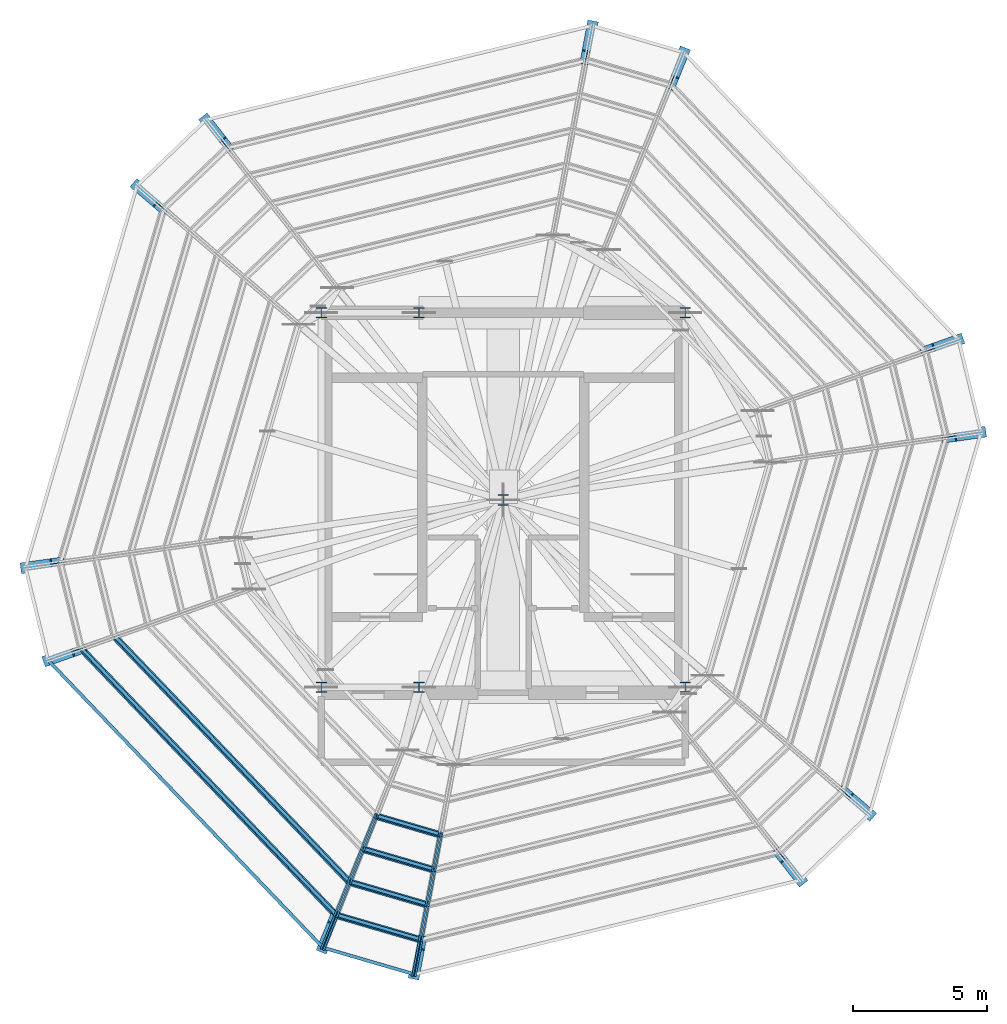
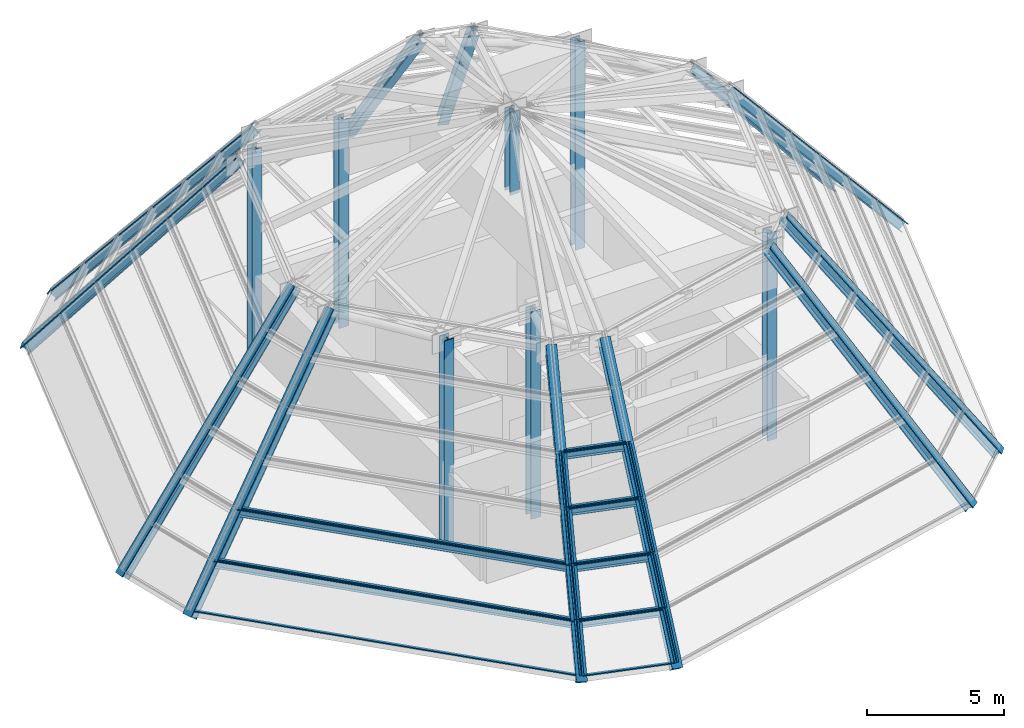
# One storey, part 1 of 13: 30 members, 19 columns, 6 beams, 13 elements without a shape of their own.
"""IFC4 building model written with IfcOpenShell, lengths in metres."""

from ifc_helpers import new_model, si_unit, direction, frame, origin, origin_2d, place, context, subcontext, project, spatial, hollow_rectangle, i_section, extrude, source, transform, mapped, material, layer, layer_set, material_profile, profile_set, type_object, element, aggregate, save


model = new_model("IFC4")

# Units and contexts
model_context = context("Model", 3, precision=1e-05, world=origin(), true_north=direction((0.0, 1.0)))
body_context = subcontext(model_context, "Body", "Model", "MODEL_VIEW")
ifc_project = project(units=[si_unit("LENGTHUNIT", "METRE"), si_unit("AREAUNIT", "SQUARE_METRE"), si_unit("VOLUMEUNIT", "CUBIC_METRE"), si_unit("PLANEANGLEUNIT", "RADIAN"), si_unit("MASSUNIT", "GRAM", prefix="KILO")], contexts=[model_context])

# Site, building, storey
site_placement = place(None, origin())
site = spatial("IfcSite", under=ifc_project, at=site_placement, CompositionType="ELEMENT")
building_placement = place(site_placement, origin())
building = spatial("IfcBuilding", under=site, at=building_placement, Name="Veraguas Prism Commons", CompositionType="ELEMENT")
storey_placement = place(building_placement, frame((0.0, 0.0, 268.89990234375)))
storey = spatial("IfcBuildingStorey", under=building, at=storey_placement, Name="RF", CompositionType="ELEMENT", Elevation=268.89990234375)

# Columns
ifc_material_1 = material(Name="Steel ASTM A992 Grade 50", Category="steel")
ifc_material_profile_1 = material_profile(ifc_material_1, i_section(OverallWidth=0.404052734375, OverallDepth=0.406982421875, WebThickness=0.025146484375, FlangeThickness=0.040283203125, at=origin_2d()), Name="W360X347")
ifc_profile_set_1 = profile_set([ifc_material_profile_1], Name="Steel ASTM A992 Grade 50")
column_type = type_object("IfcColumnType", Name="Column Crown Portal W360x347", PredefinedType="COLUMN", material=ifc_profile_set_1)
for number, where, z_axis, x_axis, name in (
    (1, (17.199951171875, 17.0, 0.0), (0.0, 0.0, 1.0), (1.0, 0.0, 0.0), "Crown Core Column RF-CR1"),
    (2, (20.85009765625, 17.0, 0.0), (0.0, 0.0, 1.0), (1.0, 0.0, 0.0), "Crown Core Column RF-CR2"),
    (3, (30.800048828125, 17.0, 0.0), (0.0, 0.0, 1.0), (1.0, 0.0, 0.0), "Crown Core Column RF-CR3"),
    (4, (17.199951171875, 31.0, 0.0), (0.0, 0.0, 1.0), (1.0, 0.0, 0.0), "Crown Core Column RF-CR4"),
    (5, (20.85009765625, 31.0, 0.0), (0.0, 0.0, 1.0), (1.0, 0.0, 0.0), "Crown Core Column RF-CR5"),
    (6, (30.800048828125, 31.0, 0.0), (0.0, 0.0, 1.0), (1.0, 0.0, 0.0), "Crown Core Column RF-CR6"),
):
    element("IfcColumn", number, at=place(storey_placement, frame(where, z_axis=z_axis, x_axis=x_axis)), inside=storey, type_object=column_type, Name=name, PredefinedType="COLUMN", context=body_context, shape_type="SweptSolid", body=[
        extrude(i_section(OverallWidth=0.404052734375, OverallDepth=0.406982421875, WebThickness=0.025146484375, FlangeThickness=0.040283203125, at=origin_2d()), origin(), (0.0, 0.0, 1.0), 9.22021484375),
    ])
column_1_placement = place(storey_placement, frame((24.0, 24.0, 9.070068359375), z_axis=(0.0, 0.0, 1.0), x_axis=(1.0, 0.0, 0.0)))
element("IfcColumn", 7, at=column_1_placement, inside=storey, type_object=column_type, Name="Crown Apex King Post Column", PredefinedType="COLUMN", context=body_context, shape_type="SweptSolid", body=[
    extrude(i_section(OverallWidth=0.404052734375, OverallDepth=0.406982421875, WebThickness=0.025146484375, FlangeThickness=0.040283203125, at=origin_2d()), origin(), (0.0, 0.0, 1.0), 3.679931640625),
])
for number, where, z_axis, x_axis, name in (
    (8, (41.88134765625, 26.531982421875, -0.260009765625), (-0.637822033043, -0.090312653145, 0.764870367348), (0.140196932882, -0.990123638749, 0.0), "Crown Raking Portal Column RF-RB01"),
    (9, (41.036376953125, 29.992919921875, -0.260009765625), (-0.607685137315, -0.213756413411, 0.764870557423), (0.331825087621, -0.943340930537, 0.0), "Crown Raking Portal Column RF-RB02"),
    (10, (30.747802734375, 40.751708984375, -0.260009765625), (-0.240684371738, -0.597525199826, 0.764875590389), (0.927577741303, -0.373630210021, 0.0), "Crown Raking Portal Column RF-RB03"),
    (11, (27.328125, 41.750244140625, -0.260009765625), (-0.118717575709, -0.633140706157, 0.764878410876), (0.982871148418, -0.184294073718, 0.0), "Crown Raking Portal Column RF-RB04"),
):
    element("IfcColumn", number, at=place(storey_placement, frame(where, z_axis=z_axis, x_axis=x_axis)), inside=storey, type_object=column_type, Name=name, PredefinedType="COLUMN", context=body_context, shape_type="SweptSolid", body=[
        extrude(i_section(OverallWidth=0.404052734375, OverallDepth=0.406982421875, WebThickness=0.025146484375, FlangeThickness=0.040283203125, at=origin_2d()), origin(), (0.0, 0.0, 1.0), 12.39453125),
    ])
column_2_placement = place(storey_placement, frame((12.86669921875, 38.219482421875, -0.260009765625), z_axis=(0.397125344176, -0.507196095788, 0.764881416581), x_axis=(0.787362376475, 0.616490460682, 0.0)))
element("IfcColumn", 12, at=column_2_placement, inside=storey, type_object=column_type, Name="Crown Raking Portal Column RF-RB05", PredefinedType="COLUMN", context=body_context, shape_type="SweptSolid", body=[
    extrude(i_section(OverallWidth=0.404052734375, OverallDepth=0.406982421875, WebThickness=0.025146484375, FlangeThickness=0.040283203125, at=origin_2d()), origin(), (0.0, 0.0, 1.0), 12.394287109375),
])
for number, where, z_axis, x_axis, name in (
    (13, (10.2919921875, 35.757568359375, -0.260009765625), (0.488950933915, -0.419399076861, 0.764873452639), (0.651058257699, 0.759027763051, 0.0), "Crown Raking Portal Column RF-RB06"),
    (14, (6.11865234375, 21.468017578125, -0.260009765625), (0.637822033043, 0.090312653145, 0.764870367348), (-0.140196932882, 0.990123638749, 0.0), "Crown Raking Portal Column RF-RB07"),
    (15, (6.963623046875, 18.007080078125, -0.260009765625), (0.607685137315, 0.213756413411, 0.764870557423), (-0.331825087621, 0.943340930537, 0.0), "Crown Raking Portal Column RF-RB08"),
    (16, (17.252197265625, 7.248291015625, -0.260009765625), (0.240684371738, 0.597525199826, 0.764875590389), (-0.927577741303, 0.373630210021, 0.0), "Crown Raking Portal Column RF-RB09"),
    (17, (20.671875, 6.249755859375, -0.260009765625), (0.118717575709, 0.633140706157, 0.764878410876), (-0.982871148418, 0.184294073718, 0.0), "Crown Raking Portal Column RF-RB10"),
):
    element("IfcColumn", number, at=place(storey_placement, frame(where, z_axis=z_axis, x_axis=x_axis)), inside=storey, type_object=column_type, Name=name, PredefinedType="COLUMN", context=body_context, shape_type="SweptSolid", body=[
        extrude(i_section(OverallWidth=0.404052734375, OverallDepth=0.406982421875, WebThickness=0.025146484375, FlangeThickness=0.040283203125, at=origin_2d()), origin(), (0.0, 0.0, 1.0), 12.39453125),
    ])
column_3_placement = place(storey_placement, frame((35.13330078125, 9.780517578125, -0.260009765625), z_axis=(-0.397125344176, 0.507196095788, 0.764881416581), x_axis=(-0.787362376475, -0.616490460682, 0.0)))
element("IfcColumn", 18, at=column_3_placement, inside=storey, type_object=column_type, Name="Crown Raking Portal Column RF-RB11", PredefinedType="COLUMN", context=body_context, shape_type="SweptSolid", body=[
    extrude(i_section(OverallWidth=0.404052734375, OverallDepth=0.406982421875, WebThickness=0.025146484375, FlangeThickness=0.040283203125, at=origin_2d()), origin(), (0.0, 0.0, 1.0), 12.394287109375),
])
column_4_placement = place(storey_placement, frame((37.7080078125, 12.242431640625, -0.260009765625), z_axis=(-0.488950933915, 0.419399076861, 0.764873452639), x_axis=(-0.651058257699, -0.759027763051, 0.0)))
element("IfcColumn", 19, at=column_4_placement, inside=storey, type_object=column_type, Name="Crown Raking Portal Column RF-RB12", PredefinedType="COLUMN", context=body_context, shape_type="SweptSolid", body=[
    extrude(i_section(OverallWidth=0.404052734375, OverallDepth=0.406982421875, WebThickness=0.025146484375, FlangeThickness=0.040283203125, at=origin_2d()), origin(), (0.0, 0.0, 1.0), 12.39453125),
])

# Beams
ifc_material_profile_2 = material_profile(ifc_material_1, i_section(OverallWidth=0.25390625, OverallDepth=0.305908203125, WebThickness=0.0087890625, FlangeThickness=0.0146484375, at=origin_2d()), Name="W310X79")
ifc_profile_set_2 = profile_set([ifc_material_profile_2], Name="Steel ASTM A992 Grade 50")
beam_type = type_object("IfcBeamType", Name="Crown Ring Spandrel W310x79", PredefinedType="SPANDREL", material=ifc_profile_set_2)
beam_1_placement = place(storey_placement, frame((8.218994140625, 18.44873046875, 1.430419921875), z_axis=(0.691137823002, -0.722722982626, 0.0), x_axis=(0.722722982626, 0.691137823002, 0.0)))
element("IfcBeam", 20, at=beam_1_placement, inside=storey, type_object=beam_type, Name="Crown Facet Ring Beam T1-V08", PredefinedType="SPANDREL", context=body_context, shape_type="SweptSolid", body=[
    extrude(i_section(OverallWidth=0.25390625, OverallDepth=0.305908203125, WebThickness=0.0087890625, FlangeThickness=0.0146484375, at=origin_2d()), origin(), (0.0, 0.0, 1.0), 13.78955078125),
])
beam_2_placement = place(storey_placement, frame((9.474365234375, 18.890380859375, 3.013916015625), z_axis=(0.69112874426, -0.722731664491, 0.0), x_axis=(0.722731664491, 0.69112874426, 0.0)))
element("IfcBeam", 21, at=beam_2_placement, inside=storey, type_object=beam_type, Name="Crown Facet Ring Beam T2-V08", PredefinedType="SPANDREL", context=body_context, shape_type="SweptSolid", body=[
    extrude(i_section(OverallWidth=0.25390625, OverallDepth=0.305908203125, WebThickness=0.0087890625, FlangeThickness=0.0146484375, at=origin_2d()), origin(), (0.0, 0.0, 1.0), 12.692626953125),
])
beam_3_placement = place(storey_placement, frame((17.74951171875, 8.482666015625, 1.430419921875), z_axis=(0.959902160771, -0.280335231013, 0.0), x_axis=(0.280335231013, 0.959902160771, 0.0)))
element("IfcBeam", 22, at=beam_3_placement, inside=storey, type_object=beam_type, Name="Crown Facet Ring Beam T1-V09", PredefinedType="SPANDREL", context=body_context, shape_type="SweptSolid", body=[
    extrude(i_section(OverallWidth=0.25390625, OverallDepth=0.305908203125, WebThickness=0.0087890625, FlangeThickness=0.0146484375, at=origin_2d()), origin(), (0.0, 0.0, 1.0), 3.2998046875),
])
beam_4_placement = place(storey_placement, frame((18.24658203125, 9.717041015625, 3.013916015625), z_axis=(0.95990001861, -0.280342565931, 0.0), x_axis=(0.280342565931, 0.95990001861, 0.0)))
element("IfcBeam", 23, at=beam_4_placement, inside=storey, type_object=beam_type, Name="Crown Facet Ring Beam T2-V09", PredefinedType="SPANDREL", context=body_context, shape_type="SweptSolid", body=[
    extrude(i_section(OverallWidth=0.25390625, OverallDepth=0.305908203125, WebThickness=0.0087890625, FlangeThickness=0.0146484375, at=origin_2d()), origin(), (0.0, 0.0, 1.0), 3.03759765625),
])
beam_5_placement = place(storey_placement, frame((18.743896484375, 10.951416015625, 4.59716796875), z_axis=(0.959883640209, -0.280398639903, 0.0), x_axis=(0.280398639903, 0.959883640209, 0.0)))
element("IfcBeam", 24, at=beam_5_placement, inside=storey, type_object=beam_type, Name="Crown Facet Ring Beam T3-V09", PredefinedType="SPANDREL", context=body_context, shape_type="SweptSolid", body=[
    extrude(i_section(OverallWidth=0.25390625, OverallDepth=0.305908203125, WebThickness=0.0087890625, FlangeThickness=0.0146484375, at=origin_2d()), origin(), (0.0, 0.0, 1.0), 2.77490234375),
])
beam_6_placement = place(storey_placement, frame((19.240966796875, 12.185791015625, 6.180419921875), z_axis=(0.95987911689, -0.280414124035, 0.0), x_axis=(0.280414124035, 0.95987911689, 0.0)))
element("IfcBeam", 25, at=beam_6_placement, inside=storey, type_object=beam_type, Name="Crown Facet Ring Beam T4-V09", PredefinedType="SPANDREL", context=body_context, shape_type="SweptSolid", body=[
    extrude(i_section(OverallWidth=0.25390625, OverallDepth=0.305908203125, WebThickness=0.0087890625, FlangeThickness=0.0146484375, at=origin_2d()), origin(), (0.0, 0.0, 1.0), 2.5126953125),
])

# Curtain wall, member
ifc_material_2 = material(Name="Anodised aluminium EN AW-6063 T6", Category="aluminium")
ifc_layer = layer(ifc_material_2, 0.199951171875, Name="Faceted Glass Point Crown Curtain Wall", Category="aluminium")
ifc_layer_set = layer_set([ifc_layer], Name="Anodised aluminium EN AW-6063 T6")
curtain_wall_type = type_object("IfcCurtainWallType", Name="Faceted Glass Point Crown Curtain Wall", PredefinedType="NOTDEFINED", material=ifc_layer_set)
curtain_wall_1_placement = place(storey_placement, origin())
curtain_wall_1 = element("IfcCurtainWall", 26, at=curtain_wall_1_placement, inside=storey, type_object=curtain_wall_type, Name="Crown Glass-Point Facet T1-F08", PredefinedType="NOTDEFINED")
ifc_material_profile_3 = material_profile(ifc_material_2, hollow_rectangle(XDim=0.06494140625, YDim=0.199951171875, WallThickness=0.00390625, at=origin_2d()), Name="AL65X200X4")
ifc_profile_set_3 = profile_set([ifc_material_profile_3], Name="Anodised aluminium EN AW-6063 T6")
member_type_1 = type_object("IfcMemberType", Name="Curtain Wall Mullion Heavy AL 65x200x4", PredefinedType="MULLION", material=ifc_profile_set_3)
shared_shape_1 = source(origin(), body_context, "Body", "SweptSolid", [
    extrude(hollow_rectangle(XDim=0.06494140625, YDim=0.199951171875, WallThickness=0.00390625, at=origin_2d()), origin(), (0.0, 0.0, 1.0), 2.068359375),
])
member_1_placement = place(storey_placement, frame((17.2158203125, 7.286376953125, 0.0), z_axis=(0.240429183387, 0.596764826316, 0.765549181861), x_axis=(-0.927550217009, 0.37369853482, 0.0)))
member_1 = element("IfcMember", 27, at=member_1_placement, type_object=member_type_1, Name="CW-CRN Mullion 2", PredefinedType="MULLION", context=body_context, shape_type="MappedRepresentation", body=[
    mapped(shared_shape_1, transform((0.0, 0.0, 0.0), scale=1.0)),
])

# Curtain wall, members
curtain_wall_2_placement = place(storey_placement, origin())
curtain_wall_2 = element("IfcCurtainWall", 28, at=curtain_wall_2_placement, inside=storey, type_object=curtain_wall_type, Name="Crown Glass-Point Facet T1-F09", PredefinedType="NOTDEFINED")
member_2_placement = place(storey_placement, frame((17.302490234375, 7.233642578125, 0.0), z_axis=(0.240429183387, 0.596764826316, 0.765549181861), x_axis=(-0.927550217009, 0.37369853482, 0.0)))
member_2 = element("IfcMember", 29, at=member_2_placement, type_object=member_type_1, Name="CW-CRN Mullion 1", PredefinedType="MULLION", context=body_context, shape_type="MappedRepresentation", body=[
    mapped(shared_shape_1, transform((0.0, 0.0, 0.0), scale=1.0)),
])
member_3_placement = place(storey_placement, frame((20.621337890625, 6.264404296875, 0.0), z_axis=(0.11862533016, 0.632314322055, 0.765576011359), x_axis=(-0.982853488619, 0.184388231484, 0.0)))
member_3 = element("IfcMember", 30, at=member_3_placement, type_object=member_type_1, Name="CW-CRN Mullion 2", PredefinedType="MULLION", context=body_context, shape_type="MappedRepresentation", body=[
    mapped(shared_shape_1, transform((0.0, 0.0, 0.0), scale=1.0)),
])

# Curtain wall, member
curtain_wall_3_placement = place(storey_placement, origin())
curtain_wall_3 = element("IfcCurtainWall", 31, at=curtain_wall_3_placement, inside=storey, type_object=curtain_wall_type, Name="Crown Glass-Point Facet T1-F10", PredefinedType="NOTDEFINED")
member_4_placement = place(storey_placement, frame((20.72265625, 6.26220703125, 0.0), z_axis=(0.11862533016, 0.632314322055, 0.765576011359), x_axis=(-0.982853488619, 0.184388231484, 0.0)))
member_4 = element("IfcMember", 32, at=member_4_placement, type_object=member_type_1, Name="CW-CRN Mullion 1", PredefinedType="MULLION", context=body_context, shape_type="MappedRepresentation", body=[
    mapped(shared_shape_1, transform((0.0, 0.0, 0.0), scale=1.0)),
])
aggregate(curtain_wall_3, [member_4])

curtain_wall_4_placement = place(storey_placement, origin())
curtain_wall_4 = element("IfcCurtainWall", 33, at=curtain_wall_4_placement, inside=storey, type_object=curtain_wall_type, Name="Crown Glass-Point Facet T3-F09", PredefinedType="NOTDEFINED")
member_5_placement = place(storey_placement, frame((21.11181640625, 8.880126953125, 3.166748046875), z_axis=(0.118627194476, 0.632442296518, 0.765470006144), x_axis=(-0.982859724762, 0.184354987567, 0.0)))
member_5 = element("IfcMember", 34, at=member_5_placement, type_object=member_type_1, Name="CW-CRN Mullion 2", PredefinedType="MULLION", context=body_context, shape_type="MappedRepresentation", body=[
    mapped(shared_shape_1, transform((0.0, 0.0, 0.0), scale=1.0)),
])

curtain_wall_5_placement = place(storey_placement, origin())
curtain_wall_5 = element("IfcCurtainWall", 35, at=curtain_wall_5_placement, inside=storey, type_object=curtain_wall_type, Name="Crown Glass-Point Facet T4-F08", PredefinedType="NOTDEFINED")
member_6_placement = place(storey_placement, frame((18.70751953125, 10.9892578125, 4.75), z_axis=(0.240429183387, 0.596764826316, 0.765549181861), x_axis=(-0.927550217009, 0.37369853482, 0.0)))
member_6 = element("IfcMember", 36, at=member_6_placement, type_object=member_type_1, Name="CW-CRN Mullion 2", PredefinedType="MULLION", context=body_context, shape_type="MappedRepresentation", body=[
    mapped(shared_shape_1, transform((0.0, 0.0, 0.0), scale=1.0)),
])
aggregate(curtain_wall_5, [member_6])

# Curtain wall, members
curtain_wall_6_placement = place(storey_placement, origin())
curtain_wall_6 = element("IfcCurtainWall", 37, at=curtain_wall_6_placement, inside=storey, type_object=curtain_wall_type, Name="Crown Glass-Point Facet T4-F09", PredefinedType="NOTDEFINED")
member_7_placement = place(storey_placement, frame((18.794189453125, 10.9365234375, 4.75), z_axis=(0.240429183387, 0.596764826316, 0.765549181861), x_axis=(-0.927550217009, 0.37369853482, 0.0)))
member_7 = element("IfcMember", 38, at=member_7_placement, type_object=member_type_1, Name="CW-CRN Mullion 1", PredefinedType="MULLION", context=body_context, shape_type="MappedRepresentation", body=[
    mapped(shared_shape_1, transform((0.0, 0.0, 0.0), scale=1.0)),
])
member_8_placement = place(storey_placement, frame((21.357177734375, 10.188232421875, 4.75), z_axis=(0.118508953549, 0.632323171476, 0.765586725815), x_axis=(-0.982886723569, 0.184210989446, 0.0)))
member_8 = element("IfcMember", 39, at=member_8_placement, type_object=member_type_1, Name="CW-CRN Mullion 2", PredefinedType="MULLION", context=body_context, shape_type="MappedRepresentation", body=[
    mapped(shared_shape_1, transform((0.0, 0.0, 0.0), scale=1.0)),
])

# Curtain wall, member
curtain_wall_7_placement = place(storey_placement, origin())
curtain_wall_7 = element("IfcCurtainWall", 40, at=curtain_wall_7_placement, inside=storey, type_object=curtain_wall_type, Name="Crown Glass-Point Facet T4-F10", PredefinedType="NOTDEFINED")
member_9_placement = place(storey_placement, frame((21.45849609375, 10.185791015625, 4.75), z_axis=(0.11862533016, 0.632314322055, 0.765576011359), x_axis=(-0.982853488619, 0.184388231484, 0.0)))
member_9 = element("IfcMember", 41, at=member_9_placement, type_object=member_type_1, Name="CW-CRN Mullion 1", PredefinedType="MULLION", context=body_context, shape_type="MappedRepresentation", body=[
    mapped(shared_shape_1, transform((0.0, 0.0, 0.0), scale=1.0)),
])
aggregate(curtain_wall_7, [member_9])

# Member
ifc_material_profile_4 = material_profile(ifc_material_2, hollow_rectangle(XDim=0.050048828125, YDim=0.1201171875, WallThickness=0.0029296875, at=origin_2d()), Name="AL50X120X3")
ifc_profile_set_4 = profile_set([ifc_material_profile_4], Name="Anodised aluminium EN AW-6063 T6")
member_type_2 = type_object("IfcMemberType", Name="Curtain Wall Transom Crown AL 50x120x3", PredefinedType="USERDEFINED", material=ifc_profile_set_4)
shared_shape_2 = source(origin(), body_context, "Body", "SweptSolid", [
    extrude(hollow_rectangle(XDim=0.050048828125, YDim=0.1201171875, WallThickness=0.0029296875, at=origin_2d()), origin(), (0.0, 0.0, 1.0), 14.76416015625),
])
member_10_placement = place(storey_placement, frame((7.019775390625, 17.97607421875, 0.025146484375), z_axis=(0.691138541131, -0.722722295881, 0.0), x_axis=(0.0, 0.0, 1.0)))
member_10 = element("IfcMember", 42, at=member_10_placement, type_object=member_type_2, Name="CW-CRN Transom 1", ObjectType="TRANSOM", PredefinedType="USERDEFINED", context=body_context, shape_type="MappedRepresentation", body=[
    mapped(shared_shape_2, transform((0.0, 0.0, 0.0), scale=1.0)),
])

shared_shape_3 = source(origin(), body_context, "Body", "SweptSolid", [
    extrude(hollow_rectangle(XDim=0.050048828125, YDim=0.1201171875, WallThickness=0.0029296875, at=origin_2d()), origin(), (0.0, 0.0, 1.0), 13.701904296875),
])
member_11_placement = place(storey_placement, frame((8.2353515625, 18.40380859375, 1.558349609375), z_axis=(0.691143753511, -0.722717311252, 0.0), x_axis=(0.0, 0.0, 1.0)))
member_11 = element("IfcMember", 43, at=member_11_placement, type_object=member_type_2, Name="CW-CRN Transom 2", ObjectType="TRANSOM", PredefinedType="USERDEFINED", context=body_context, shape_type="MappedRepresentation", body=[
    mapped(shared_shape_3, transform((0.0, 0.0, 0.0), scale=1.0)),
])

aggregate(curtain_wall_1, [member_1, member_10, member_11])

shared_shape_4 = source(origin(), body_context, "Body", "SweptSolid", [
    extrude(hollow_rectangle(XDim=0.050048828125, YDim=0.1201171875, WallThickness=0.0029296875, at=origin_2d()), origin(), (0.0, 0.0, 1.0), 3.453125),
])
member_12_placement = place(storey_placement, frame((17.310546875, 7.253173828125, 0.025146484375), z_axis=(0.959904130133, -0.280328487588, 0.0), x_axis=(0.0, 0.0, 1.0)))
member_12 = element("IfcMember", 44, at=member_12_placement, type_object=member_type_2, Name="CW-CRN Transom 1", ObjectType="TRANSOM", PredefinedType="USERDEFINED", context=body_context, shape_type="MappedRepresentation", body=[
    mapped(shared_shape_4, transform((0.0, 0.0, 0.0), scale=1.0)),
])

shared_shape_5 = source(origin(), body_context, "Body", "SweptSolid", [
    extrude(hollow_rectangle(XDim=0.050048828125, YDim=0.1201171875, WallThickness=0.0029296875, at=origin_2d()), origin(), (0.0, 0.0, 1.0), 3.198974609375),
])
member_13_placement = place(storey_placement, frame((17.7919921875, 8.448486328125, 1.558349609375), z_axis=(0.959909346754, -0.280310624155, 0.0), x_axis=(0.0, 0.0, 1.0)))
member_13 = element("IfcMember", 45, at=member_13_placement, type_object=member_type_2, Name="CW-CRN Transom 2", ObjectType="TRANSOM", PredefinedType="USERDEFINED", context=body_context, shape_type="MappedRepresentation", body=[
    mapped(shared_shape_5, transform((0.0, 0.0, 0.0), scale=1.0)),
])

aggregate(curtain_wall_2, [member_2, member_3, member_12, member_13])

# Curtain wall, member
curtain_wall_8_placement = place(storey_placement, origin())
curtain_wall_8 = element("IfcCurtainWall", 46, at=curtain_wall_8_placement, inside=storey, type_object=curtain_wall_type, Name="Crown Glass-Point Facet T2-F08", PredefinedType="NOTDEFINED")
shared_shape_6 = source(origin(), body_context, "Body", "SweptSolid", [
    extrude(hollow_rectangle(XDim=0.06494140625, YDim=0.199951171875, WallThickness=0.00390625, at=origin_2d()), origin(), (0.0, 0.0, 1.0), 2.068115234375),
])
member_14_placement = place(storey_placement, frame((17.713134765625, 8.520751953125, 1.58349609375), z_axis=(0.240467849248, 0.596742748134, 0.765554247606), x_axis=(-0.927524590821, 0.373762134817, 0.0)))
member_14 = element("IfcMember", 47, at=member_14_placement, type_object=member_type_1, Name="CW-CRN Mullion 2", PredefinedType="MULLION", context=body_context, shape_type="MappedRepresentation", body=[
    mapped(shared_shape_6, transform((0.0, 0.0, 0.0), scale=1.0)),
])

# Curtain wall, members
curtain_wall_9_placement = place(storey_placement, origin())
curtain_wall_9 = element("IfcCurtainWall", 48, at=curtain_wall_9_placement, inside=storey, type_object=curtain_wall_type, Name="Crown Glass-Point Facet T2-F09", PredefinedType="NOTDEFINED")
member_15_placement = place(storey_placement, frame((17.7998046875, 8.468017578125, 1.58349609375), z_axis=(0.240339687845, 0.596835688479, 0.765522041097), x_axis=(-0.927613797991, 0.373540682894, 0.0)))
member_15 = element("IfcMember", 49, at=member_15_placement, type_object=member_type_1, Name="CW-CRN Mullion 1", PredefinedType="MULLION", context=body_context, shape_type="MappedRepresentation", body=[
    mapped(shared_shape_6, transform((0.0, 0.0, 0.0), scale=1.0)),
])
member_16_placement = place(storey_placement, frame((20.86669921875, 7.572265625, 1.58349609375), z_axis=(0.118519663522, 0.632380316225, 0.765537866477), x_axis=(-0.982886723569, 0.184210989446, 0.0)))
member_16 = element("IfcMember", 50, at=member_16_placement, type_object=member_type_1, Name="CW-CRN Mullion 2", PredefinedType="MULLION", context=body_context, shape_type="MappedRepresentation", body=[
    mapped(shared_shape_6, transform((0.0, 0.0, 0.0), scale=1.0)),
])

# Curtain wall, member
curtain_wall_10_placement = place(storey_placement, origin())
curtain_wall_10 = element("IfcCurtainWall", 51, at=curtain_wall_10_placement, inside=storey, type_object=curtain_wall_type, Name="Crown Glass-Point Facet T2-F10", PredefinedType="NOTDEFINED")
member_17_placement = place(storey_placement, frame((20.968017578125, 7.570068359375, 1.58349609375), z_axis=(0.11863605035, 0.632371464405, 0.765527150768), x_axis=(-0.982853488619, 0.184388231484, 0.0)))
member_17 = element("IfcMember", 52, at=member_17_placement, type_object=member_type_1, Name="CW-CRN Mullion 1", PredefinedType="MULLION", context=body_context, shape_type="MappedRepresentation", body=[
    mapped(shared_shape_6, transform((0.0, 0.0, 0.0), scale=1.0)),
])
aggregate(curtain_wall_10, [member_17])

curtain_wall_11_placement = place(storey_placement, origin())
curtain_wall_11 = element("IfcCurtainWall", 53, at=curtain_wall_11_placement, inside=storey, type_object=curtain_wall_type, Name="Crown Glass-Point Facet T3-F08", PredefinedType="NOTDEFINED")
member_18_placement = place(storey_placement, frame((18.21044921875, 9.7548828125, 3.166748046875), z_axis=(0.240339687845, 0.596835688479, 0.765522041097), x_axis=(-0.927613797991, 0.373540682894, 0.0)))
member_18 = element("IfcMember", 54, at=member_18_placement, type_object=member_type_1, Name="CW-CRN Mullion 2", PredefinedType="MULLION", context=body_context, shape_type="MappedRepresentation", body=[
    mapped(shared_shape_6, transform((0.0, 0.0, 0.0), scale=1.0)),
])

# Member
member_19_placement = place(storey_placement, frame((18.296875, 9.702392578125, 3.166748046875), z_axis=(0.240467849248, 0.596742748134, 0.765554247606), x_axis=(-0.927524590821, 0.373762134817, 0.0)))
member_19 = element("IfcMember", 55, at=member_19_placement, type_object=member_type_1, Name="CW-CRN Mullion 1", PredefinedType="MULLION", context=body_context, shape_type="MappedRepresentation", body=[
    mapped(shared_shape_6, transform((0.0, 0.0, 0.0), scale=1.0)),
])

# Curtain wall, member
curtain_wall_12_placement = place(storey_placement, origin())
curtain_wall_12 = element("IfcCurtainWall", 56, at=curtain_wall_12_placement, inside=storey, type_object=curtain_wall_type, Name="Crown Glass-Point Facet T3-F10", PredefinedType="NOTDEFINED")
member_20_placement = place(storey_placement, frame((21.21337890625, 8.8779296875, 3.166748046875), z_axis=(0.118519663522, 0.632380316225, 0.765537866477), x_axis=(-0.982886723569, 0.184210989446, 0.0)))
member_20 = element("IfcMember", 57, at=member_20_placement, type_object=member_type_1, Name="CW-CRN Mullion 1", PredefinedType="MULLION", context=body_context, shape_type="MappedRepresentation", body=[
    mapped(shared_shape_6, transform((0.0, 0.0, 0.0), scale=1.0)),
])
aggregate(curtain_wall_12, [member_20])

# Member
shared_shape_7 = source(origin(), body_context, "Body", "SweptSolid", [
    extrude(hollow_rectangle(XDim=0.050048828125, YDim=0.1201171875, WallThickness=0.0029296875, at=origin_2d()), origin(), (0.0, 0.0, 1.0), 3.19091796875),
])
member_21_placement = place(storey_placement, frame((17.8076171875, 8.487548828125, 1.6083984375), z_axis=(0.959902252812, -0.280334915854, 0.0), x_axis=(0.0, 0.0, 1.0)))
member_21 = element("IfcMember", 58, at=member_21_placement, type_object=member_type_2, Name="CW-CRN Transom 1", ObjectType="TRANSOM", PredefinedType="USERDEFINED", context=body_context, shape_type="MappedRepresentation", body=[
    mapped(shared_shape_7, transform((0.0, 0.0, 0.0), scale=1.0)),
])

shared_shape_8 = source(origin(), body_context, "Body", "SweptSolid", [
    extrude(hollow_rectangle(XDim=0.050048828125, YDim=0.1201171875, WallThickness=0.0029296875, at=origin_2d()), origin(), (0.0, 0.0, 1.0), 2.9365234375),
])
member_22_placement = place(storey_placement, frame((18.2890625, 9.682861328125, 3.141845703125), z_axis=(0.959901239962, -0.280338383956, 0.0), x_axis=(0.0, 0.0, 1.0)))
member_22 = element("IfcMember", 59, at=member_22_placement, type_object=member_type_2, Name="CW-CRN Transom 2", ObjectType="TRANSOM", PredefinedType="USERDEFINED", context=body_context, shape_type="MappedRepresentation", body=[
    mapped(shared_shape_8, transform((0.0, 0.0, 0.0), scale=1.0)),
])

aggregate(curtain_wall_9, [member_15, member_16, member_21, member_22])

shared_shape_9 = source(origin(), body_context, "Body", "SweptSolid", [
    extrude(hollow_rectangle(XDim=0.050048828125, YDim=0.1201171875, WallThickness=0.0029296875, at=origin_2d()), origin(), (0.0, 0.0, 1.0), 13.6669921875),
])
member_23_placement = place(storey_placement, frame((8.275146484375, 18.417724609375, 1.6083984375), z_axis=(0.691139090215, -0.722721770792, 0.0), x_axis=(0.0, 0.0, 1.0)))
member_23 = element("IfcMember", 60, at=member_23_placement, type_object=member_type_2, Name="CW-CRN Transom 1", ObjectType="TRANSOM", PredefinedType="USERDEFINED", context=body_context, shape_type="MappedRepresentation", body=[
    mapped(shared_shape_9, transform((0.0, 0.0, 0.0), scale=1.0)),
])

shared_shape_10 = source(origin(), body_context, "Body", "SweptSolid", [
    extrude(hollow_rectangle(XDim=0.050048828125, YDim=0.1201171875, WallThickness=0.0029296875, at=origin_2d()), origin(), (0.0, 0.0, 1.0), 12.60498046875),
])
member_24_placement = place(storey_placement, frame((9.49072265625, 18.845458984375, 3.141845703125), z_axis=(0.691135127798, -0.722725560032, 0.0), x_axis=(0.0, 0.0, 1.0)))
member_24 = element("IfcMember", 61, at=member_24_placement, type_object=member_type_2, Name="CW-CRN Transom 2", ObjectType="TRANSOM", PredefinedType="USERDEFINED", context=body_context, shape_type="MappedRepresentation", body=[
    mapped(shared_shape_10, transform((0.0, 0.0, 0.0), scale=1.0)),
])

aggregate(curtain_wall_8, [member_14, member_23, member_24])

shared_shape_11 = source(origin(), body_context, "Body", "SweptSolid", [
    extrude(hollow_rectangle(XDim=0.050048828125, YDim=0.1201171875, WallThickness=0.0029296875, at=origin_2d()), origin(), (0.0, 0.0, 1.0), 2.92822265625),
])
member_25_placement = place(storey_placement, frame((18.304931640625, 9.7216796875, 3.19189453125), z_axis=(0.959909369941, -0.280310544753, 0.0), x_axis=(0.0, 0.0, 1.0)))
member_25 = element("IfcMember", 62, at=member_25_placement, type_object=member_type_2, Name="CW-CRN Transom 1", ObjectType="TRANSOM", PredefinedType="USERDEFINED", context=body_context, shape_type="MappedRepresentation", body=[
    mapped(shared_shape_11, transform((0.0, 0.0, 0.0), scale=1.0)),
])

shared_shape_12 = source(origin(), body_context, "Body", "SweptSolid", [
    extrude(hollow_rectangle(XDim=0.050048828125, YDim=0.1201171875, WallThickness=0.0029296875, at=origin_2d()), origin(), (0.0, 0.0, 1.0), 12.570556640625),
])
member_26_placement = place(storey_placement, frame((9.5302734375, 18.859375, 3.19189453125), z_axis=(0.691140621739, -0.722720306192, 0.0), x_axis=(0.0, 0.0, 1.0)))
member_26 = element("IfcMember", 63, at=member_26_placement, type_object=member_type_2, Name="CW-CRN Transom 1", ObjectType="TRANSOM", PredefinedType="USERDEFINED", context=body_context, shape_type="MappedRepresentation", body=[
    mapped(shared_shape_12, transform((0.0, 0.0, 0.0), scale=1.0)),
])

aggregate(curtain_wall_11, [member_18, member_26])

shared_shape_13 = source(origin(), body_context, "Body", "SweptSolid", [
    extrude(hollow_rectangle(XDim=0.050048828125, YDim=0.1201171875, WallThickness=0.0029296875, at=origin_2d()), origin(), (0.0, 0.0, 1.0), 2.674072265625),
])
member_27_placement = place(storey_placement, frame((18.786376953125, 10.9169921875, 4.72509765625), z_axis=(0.959916108092, -0.280287469264, 0.0), x_axis=(0.0, 0.0, 1.0)))
member_27 = element("IfcMember", 64, at=member_27_placement, type_object=member_type_2, Name="CW-CRN Transom 2", ObjectType="TRANSOM", PredefinedType="USERDEFINED", context=body_context, shape_type="MappedRepresentation", body=[
    mapped(shared_shape_13, transform((0.0, 0.0, 0.0), scale=1.0)),
])

aggregate(curtain_wall_4, [member_19, member_5, member_25, member_27])

shared_shape_14 = source(origin(), body_context, "Body", "SweptSolid", [
    extrude(hollow_rectangle(XDim=0.050048828125, YDim=0.1201171875, WallThickness=0.0029296875, at=origin_2d()), origin(), (0.0, 0.0, 1.0), 2.666015625),
])
member_28_placement = place(storey_placement, frame((18.802001953125, 10.9560546875, 4.775146484375), z_axis=(0.959907638453, -0.28031647408, 0.0), x_axis=(0.0, 0.0, 1.0)))
member_28 = element("IfcMember", 65, at=member_28_placement, type_object=member_type_2, Name="CW-CRN Transom 1", ObjectType="TRANSOM", PredefinedType="USERDEFINED", context=body_context, shape_type="MappedRepresentation", body=[
    mapped(shared_shape_14, transform((0.0, 0.0, 0.0), scale=1.0)),
])

shared_shape_15 = source(origin(), body_context, "Body", "SweptSolid", [
    extrude(hollow_rectangle(XDim=0.050048828125, YDim=0.1201171875, WallThickness=0.0029296875, at=origin_2d()), origin(), (0.0, 0.0, 1.0), 2.411865234375),
])
member_29_placement = place(storey_placement, frame((19.283447265625, 12.151611328125, 6.308349609375), z_axis=(0.959887687987, -0.280384782845, 0.0), x_axis=(0.0, 0.0, 1.0)))
member_29 = element("IfcMember", 66, at=member_29_placement, type_object=member_type_2, Name="CW-CRN Transom 2", ObjectType="TRANSOM", PredefinedType="USERDEFINED", context=body_context, shape_type="MappedRepresentation", body=[
    mapped(shared_shape_15, transform((0.0, 0.0, 0.0), scale=1.0)),
])

aggregate(curtain_wall_6, [member_7, member_8, member_28, member_29])

# Curtain wall, member
curtain_wall_13_placement = place(storey_placement, origin())
curtain_wall_13 = element("IfcCurtainWall", 67, at=curtain_wall_13_placement, inside=storey, type_object=curtain_wall_type, Name="Crown Glass-Point Facet T5-F09", PredefinedType="NOTDEFINED")
shared_shape_16 = source(origin(), body_context, "Body", "SweptSolid", [
    extrude(hollow_rectangle(XDim=0.050048828125, YDim=0.1201171875, WallThickness=0.0029296875, at=origin_2d()), origin(), (0.0, 0.0, 1.0), 2.4033203125),
])
member_30_placement = place(storey_placement, frame((19.29931640625, 12.1904296875, 6.3583984375), z_axis=(0.959889562001, -0.280378367142, 0.0), x_axis=(0.0, 0.0, 1.0)))
member_30 = element("IfcMember", 68, at=member_30_placement, type_object=member_type_2, Name="CW-CRN Transom 1", ObjectType="TRANSOM", PredefinedType="USERDEFINED", context=body_context, shape_type="MappedRepresentation", body=[
    mapped(shared_shape_16, transform((0.0, 0.0, 0.0), scale=1.0)),
])
aggregate(curtain_wall_13, [member_30])

save(model, "model.ifc")
